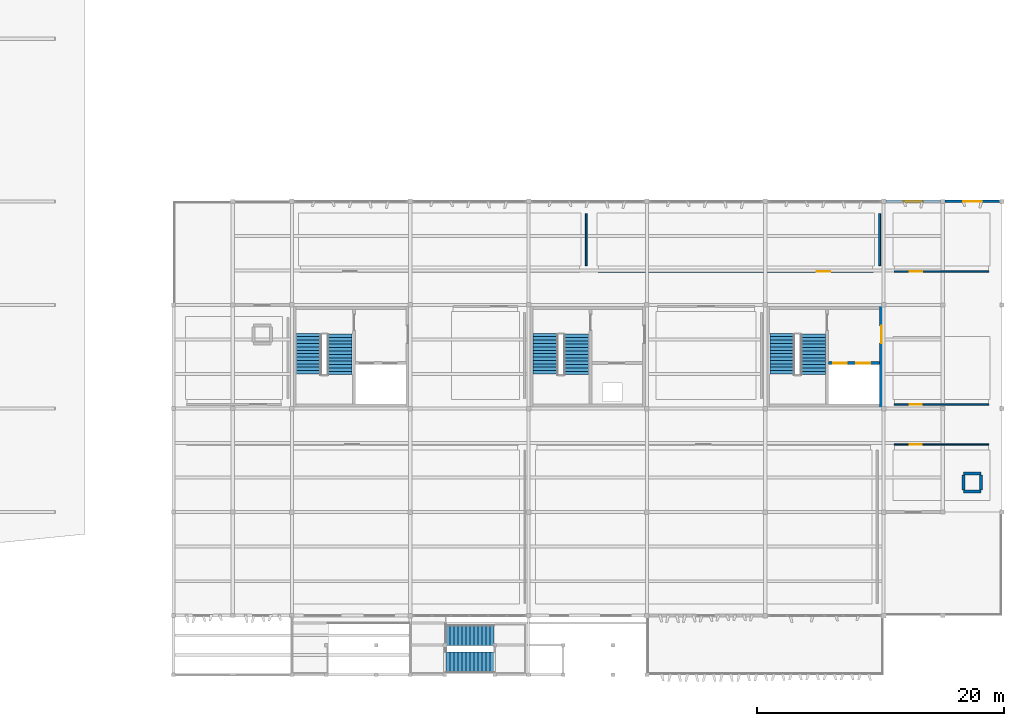
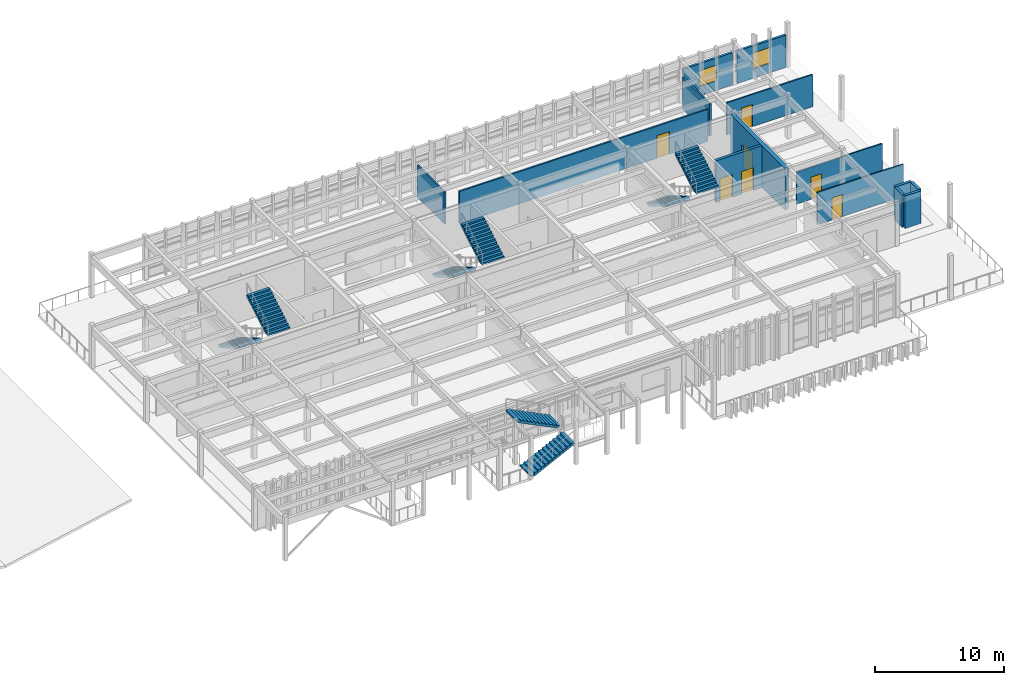
# One storey, part 15 of 18: 14 walls, 8 stair flights, 7 doors, 2 windows, 9 openings, 4 elements without a shape of their own.
"""IFC4 building model written with IfcOpenShell, lengths in metres."""

from ifc_helpers import new_model, si_unit, direction, frame, frame_2d, origin, place, context, subcontext, project, spatial, polyline, rectangle, outline, extrude, material, layer, layer_set, type_object, element, fill, aggregate, save


model = new_model("IFC4")

# Units and contexts
model_context = context("Model", 3, precision=1e-05, world=origin(), true_north=direction((0.0, 1.0)))
body_context = subcontext(model_context, "Body", "Model", "MODEL_VIEW")
ifc_project = project(units=[si_unit("LENGTHUNIT", "METRE"), si_unit("AREAUNIT", "SQUARE_METRE"), si_unit("VOLUMEUNIT", "CUBIC_METRE"), si_unit("PLANEANGLEUNIT", "RADIAN"), si_unit("MASSUNIT", "GRAM", prefix="KILO")], contexts=[model_context])

# Site, building, storey
site_placement = place(None, origin())
site = spatial("IfcSite", under=ifc_project, at=site_placement, CompositionType="ELEMENT")
building_placement = place(site_placement, origin())
building = spatial("IfcBuilding", under=site, at=building_placement, Name="Kolvemor Railside Polytechnic", CompositionType="ELEMENT")
storey_placement = place(building_placement, frame((0.0, 0.0, 18.60009765625)))
storey = spatial("IfcBuildingStorey", under=building, at=storey_placement, Name="L04", CompositionType="ELEMENT", Elevation=18.60009765625)

# Wall, opening, door
ifc_material_1 = material(Name="Concrete C40/50", Category="concrete")
ifc_layer_1 = layer(ifc_material_1, 0.35009765625, Name="WL-CORE-350")
ifc_layer_set_1 = layer_set([ifc_layer_1], Name="Concrete C40/50")
wall_type_1 = type_object("IfcWallType", Name="WL-CORE-350", PredefinedType="SHEAR", material=ifc_layer_set_1)
wall_1_placement = place(storey_placement, frame((115.02490234375, 21.60009765625, 0.0), z_axis=(0.0, 0.0, 1.0), x_axis=(0.0, 1.0, 0.0)))
wall_1 = element("IfcWall", 1, at=wall_1_placement, inside=storey, type_object=wall_type_1, Name="CORE-2 East Core Wall L04", PredefinedType="SHEAR", context=body_context, shape_type="SweptSolid", body=[
    extrude(rectangle(XDim=8.39990234375, YDim=0.35009765625, at=frame_2d((4.199951171875, 0.0))), origin(), (0.0, 0.0, 1.0), 3.969970703125),
])
opening_1_placement = place(wall_1_placement, frame((5.300048828125, 0.0, 0.0)))
opening_1 = element("IfcOpeningElement", 2, at=opening_1_placement, cuts=wall_1, Name="Opening D-LOB-2-L04", PredefinedType="OPENING", context=body_context, shape_type="SweptSolid", body=[
    extrude(rectangle(XDim=1.39990234375, YDim=2.14990234375, at=frame_2d((0.699951171875, 1.074951171875))), frame((0.0, 0.18505859375, 0.0), z_axis=(0.0, -1.0, 0.0), x_axis=(1.0, 0.0, 0.0)), (0.0, 0.0, 1.0), 0.3701171875),
])
ifc_material_2 = material(Name="Fire-rated hardwood and brushed stainless-steel door", Category="steel")
door_type_1 = type_object("IfcDoorType", Name="DR-FD60-140x215", OperationType="NOTDEFINED", PredefinedType="DOOR", material=ifc_material_2)
door_1_placement = place(opening_1_placement, origin())
door_1 = element("IfcDoor", 3, at=door_1_placement, inside=storey, type_object=door_type_1, Name="Core Lobby Fire Door CORE-2 L04", OperationType="SINGLE_SWING_LEFT", OverallHeight=2.14990234375, OverallWidth=1.39990234375, PredefinedType="DOOR", context=body_context, shape_type="SweptSolid", body=[
    extrude(rectangle(XDim=1.39990234375, YDim=2.14990234375, at=frame_2d((0.699951171875, 1.074951171875))), frame((0.0, 0.02490234375, 0.0), z_axis=(0.0, -1.0, 0.0), x_axis=(1.0, 0.0, 0.0)), (0.0, 0.0, 1.0), 0.050048828125),
])
fill(opening_1, door_1)

# Wall, opening, window
ifc_material_3 = material(Name="Cross-laminated timber CLT E1", Category="wood")
ifc_layer_2 = layer(ifc_material_3, 0.2099609375, Name="WL-EXT-TM-210")
ifc_layer_set_2 = layer_set([ifc_layer_2], Name="Cross-laminated timber CLT E1")
wall_type_2 = type_object("IfcWallType", Name="WL-EXT-TM-210", PredefinedType="SOLIDWALL", material=ifc_layer_set_2)
wall_2_placement = place(storey_placement, frame((119.800048828125, 38.39990234375, 0.0), z_axis=(0.0, 0.0, 1.0), x_axis=(-1.0, 0.0, 0.0)))
wall_2 = element("IfcWall", 4, at=wall_2_placement, inside=storey, type_object=wall_type_2, Name="Exterior Wall L04-0157", PredefinedType="SOLIDWALL", context=body_context, shape_type="SweptSolid", body=[
    extrude(rectangle(XDim=4.400146484375, YDim=0.2099609375, at=frame_2d((2.2001953125, 0.0))), origin(), (0.0, 0.0, 1.0), 3.06982421875),
])
opening_2_placement = place(wall_2_placement, frame((1.449951171875, 0.0, 0.89990234375)))
opening_2 = element("IfcOpeningElement", 5, at=opening_2_placement, cuts=wall_2, Name="Opening WN-LAB4", PredefinedType="OPENING", context=body_context, shape_type="SweptSolid", body=[
    extrude(rectangle(XDim=1.5, YDim=1.5, at=frame_2d((0.75, 0.75))), frame((0.0, 0.114990234375, 0.0), z_axis=(0.0, -1.0, 0.0), x_axis=(1.0, 0.0, 0.0)), (0.0, 0.0, 1.0), 0.22998046875),
])
ifc_material_4 = material(Name="Hurricane-laminated thermally broken aluminium window", Category="aluminium")
window_type = type_object("IfcWindowType", Name="WN-LAB-150x150", PartitioningType="SINGLE_PANEL", PredefinedType="WINDOW", material=ifc_material_4)
window_1_placement = place(opening_2_placement, origin())
window_1 = element("IfcWindow", 6, at=window_1_placement, inside=storey, type_object=window_type, Name="Window L04-0169", OverallHeight=1.5, OverallWidth=1.5, PartitioningType="SINGLE_PANEL", PredefinedType="WINDOW", context=body_context, shape_type="SweptSolid", body=[
    extrude(rectangle(XDim=1.5, YDim=1.5, at=frame_2d((0.75, 0.75))), frame((0.0, 0.030029296875, 0.0), z_axis=(0.0, -1.0, 0.0), x_axis=(1.0, 0.0, 0.0)), (0.0, 0.0, 1.0), 0.06005859375),
])
fill(opening_2, window_1)

wall_3_placement = place(storey_placement, frame((124.60009765625, 38.39990234375, 0.0), z_axis=(0.0, 0.0, 1.0), x_axis=(-1.0, 0.0, 0.0)))
wall_3 = element("IfcWall", 7, at=wall_3_placement, inside=storey, type_object=wall_type_2, Name="Exterior Wall L04-0158", PredefinedType="SOLIDWALL", context=body_context, shape_type="SweptSolid", body=[
    extrude(rectangle(XDim=4.400146484375, YDim=0.2099609375, at=frame_2d((2.2001953125, 0.0))), origin(), (0.0, 0.0, 1.0), 3.06982421875),
])
opening_3_placement = place(wall_3_placement, frame((1.449951171875, 0.0, 0.89990234375)))
opening_3 = element("IfcOpeningElement", 8, at=opening_3_placement, cuts=wall_3, Name="Opening WN-LAB4", PredefinedType="OPENING", context=body_context, shape_type="SweptSolid", body=[
    extrude(rectangle(XDim=1.5, YDim=1.5, at=frame_2d((0.75, 0.75))), frame((0.0, 0.114990234375, 0.0), z_axis=(0.0, -1.0, 0.0), x_axis=(1.0, 0.0, 0.0)), (0.0, 0.0, 1.0), 0.22998046875),
])
window_2_placement = place(opening_3_placement, origin())
window_2 = element("IfcWindow", 9, at=window_2_placement, inside=storey, type_object=window_type, Name="Window L04-0170", OverallHeight=1.5, OverallWidth=1.5, PartitioningType="SINGLE_PANEL", PredefinedType="WINDOW", context=body_context, shape_type="SweptSolid", body=[
    extrude(rectangle(XDim=1.5, YDim=1.5, at=frame_2d((0.75, 0.75))), frame((0.0, 0.030029296875, 0.0), z_axis=(0.0, -1.0, 0.0), x_axis=(1.0, 0.0, 0.0)), (0.0, 0.0, 1.0), 0.06005859375),
])
fill(opening_3, window_2)

# Wall, opening, door
ifc_material_5 = material(Name="Wet-area tile-backer partition")
ifc_layer_3 = layer(ifc_material_5, 0.1201171875, Name="WL-PART-120")
ifc_layer_set_3 = layer_set([ifc_layer_3], Name="Wet-area tile-backer partition")
wall_type_3 = type_object("IfcWallType", Name="WL-PART-120", PredefinedType="PARTITIONING", material=ifc_layer_set_3)
wall_4_placement = place(storey_placement, frame((116.050048828125, 18.679931640625, 0.0), z_axis=(0.0, 0.0, 1.0), x_axis=(1.0, 0.0, 0.0)))
wall_4 = element("IfcWall", 10, at=wall_4_placement, inside=storey, type_object=wall_type_3, Name="Partition Wall L04-0201", PredefinedType="PARTITIONING", context=body_context, shape_type="SweptSolid", body=[
    extrude(rectangle(XDim=7.699951171875, YDim=0.1201171875, at=frame_2d((3.85009765625, 0.0))), origin(), (0.0, 0.0, 1.0), 3.0498046875),
])
opening_4_placement = place(wall_4_placement, frame((1.2919921875, 0.0, 0.0)))
opening_4 = element("IfcOpeningElement", 11, at=opening_4_placement, cuts=wall_4, Name="Opening D-04113", PredefinedType="OPENING", context=body_context, shape_type="SweptSolid", body=[
    extrude(rectangle(XDim=0.949951171875, YDim=2.10009765625, at=frame_2d((0.47509765625, 1.050048828125))), frame((0.0, 0.070068359375, 0.0), z_axis=(0.0, -1.0, 0.0), x_axis=(1.0, 0.0, 0.0)), (0.0, 0.0, 1.0), 0.14013671875),
])
ifc_material_6 = material(Name="Solid hardwood acoustic door", Category="wood")
door_type_2 = type_object("IfcDoorType", Name="DR-WC-095x210", OperationType="NOTDEFINED", PredefinedType="DOOR", material=ifc_material_6)
door_2_placement = place(opening_4_placement, origin())
door_2 = element("IfcDoor", 12, at=door_2_placement, inside=storey, type_object=door_type_2, Name="Room Door D-04113 (Main Stack Public WC L04)", OperationType="SINGLE_SWING_RIGHT", OverallHeight=2.10009765625, OverallWidth=0.949951171875, PredefinedType="DOOR", context=body_context, shape_type="SweptSolid", body=[
    extrude(rectangle(XDim=0.949951171875, YDim=2.10009765625, at=frame_2d((0.47509765625, 1.050048828125))), frame((0.0, 0.02490234375, 0.0), z_axis=(0.0, -1.0, 0.0), x_axis=(1.0, 0.0, 0.0)), (0.0, 0.0, 1.0), 0.050048828125),
])
fill(opening_4, door_2)

wall_5_placement = place(storey_placement, frame((116.050048828125, 21.919921875, 0.0), z_axis=(0.0, 0.0, 1.0), x_axis=(1.0, 0.0, 0.0)))
wall_5 = element("IfcWall", 13, at=wall_5_placement, inside=storey, type_object=wall_type_3, Name="Partition Wall L04-0202", PredefinedType="PARTITIONING", context=body_context, shape_type="SweptSolid", body=[
    extrude(rectangle(XDim=7.699951171875, YDim=0.1201171875, at=frame_2d((3.85009765625, 0.0))), origin(), (0.0, 0.0, 1.0), 3.0498046875),
])
opening_5_placement = place(wall_5_placement, frame((1.2919921875, 0.0, 0.0)))
opening_5 = element("IfcOpeningElement", 14, at=opening_5_placement, cuts=wall_5, Name="Opening D-04114", PredefinedType="OPENING", context=body_context, shape_type="SweptSolid", body=[
    extrude(rectangle(XDim=0.949951171875, YDim=2.10009765625, at=frame_2d((0.47509765625, 1.050048828125))), frame((0.0, 0.070068359375, 0.0), z_axis=(0.0, -1.0, 0.0), x_axis=(1.0, 0.0, 0.0)), (0.0, 0.0, 1.0), 0.14013671875),
])
door_3_placement = place(opening_5_placement, origin())
door_3 = element("IfcDoor", 15, at=door_3_placement, inside=storey, type_object=door_type_2, Name="Room Door D-04114 (Main Stack Accessible WC L04)", OperationType="SINGLE_SWING_LEFT", OverallHeight=2.10009765625, OverallWidth=0.949951171875, PredefinedType="DOOR", context=body_context, shape_type="SweptSolid", body=[
    extrude(rectangle(XDim=0.949951171875, YDim=2.10009765625, at=frame_2d((0.47509765625, 1.050048828125))), frame((0.0, 0.02490234375, 0.0), z_axis=(0.0, -1.0, 0.0), x_axis=(1.0, 0.0, 0.0)), (0.0, 0.0, 1.0), 0.050048828125),
])
fill(opening_5, door_3)

ifc_material_7 = material(Name="Departmental partition")
ifc_layer_4 = layer(ifc_material_7, 0.1298828125, Name="WL-PART-130")
ifc_layer_set_4 = layer_set([ifc_layer_4], Name="Departmental partition")
wall_type_4 = type_object("IfcWallType", Name="WL-PART-130", PredefinedType="PARTITIONING", material=ifc_layer_set_4)
wall_6_placement = place(storey_placement, frame((116.050048828125, 32.719970703125, 0.0), z_axis=(0.0, 0.0, 1.0), x_axis=(1.0, 0.0, 0.0)))
wall_6 = element("IfcWall", 16, at=wall_6_placement, inside=storey, type_object=wall_type_4, Name="Partition Wall L04-0203", PredefinedType="PARTITIONING", context=body_context, shape_type="SweptSolid", body=[
    extrude(rectangle(XDim=7.699951171875, YDim=0.1298828125, at=frame_2d((3.85009765625, 0.0))), origin(), (0.0, 0.0, 1.0), 3.0498046875),
])
opening_6_placement = place(wall_6_placement, frame((1.2880859375, 0.0, 0.0)))
opening_6 = element("IfcOpeningElement", 17, at=opening_6_placement, cuts=wall_6, Name="Opening D-04115", PredefinedType="OPENING", context=body_context, shape_type="SweptSolid", body=[
    extrude(rectangle(XDim=0.97998046875, YDim=2.10009765625, at=frame_2d((0.489990234375, 1.050048828125))), frame((0.0, 0.074951171875, 0.0), z_axis=(0.0, -1.0, 0.0), x_axis=(1.0, 0.0, 0.0)), (0.0, 0.0, 1.0), 0.14990234375),
])
ifc_material_8 = material(Name="Solid hardwood acoustic door", Category="wood")
door_type_3 = type_object("IfcDoorType", Name="DR-ADM-098x210", OperationType="NOTDEFINED", PredefinedType="DOOR", material=ifc_material_8)
door_4_placement = place(opening_6_placement, origin())
door_4 = element("IfcDoor", 18, at=door_4_placement, inside=storey, type_object=door_type_3, Name="Room Door D-04115 (Faculty of Electrical and Computing Suite)", OperationType="SINGLE_SWING_RIGHT", OverallHeight=2.10009765625, OverallWidth=0.97998046875, PredefinedType="DOOR", context=body_context, shape_type="SweptSolid", body=[
    extrude(rectangle(XDim=0.97998046875, YDim=2.10009765625, at=frame_2d((0.489990234375, 1.050048828125))), frame((0.0, 0.02490234375, 0.0), z_axis=(0.0, -1.0, 0.0), x_axis=(1.0, 0.0, 0.0)), (0.0, 0.0, 1.0), 0.050048828125),
])
fill(opening_6, door_4)

# Wall
ifc_material_9 = material(Name="Seminar acoustic partition")
ifc_layer_5 = layer(ifc_material_9, 0.139892578125, Name="WL-PART-140")
ifc_layer_set_5 = layer_set([ifc_layer_5], Name="Seminar acoustic partition")
wall_type_5 = type_object("IfcWallType", Name="WL-PART-140", PredefinedType="PARTITIONING", material=ifc_layer_set_5)
wall_7_placement = place(storey_placement, frame((91.080078125, 33.199951171875, 0.0), z_axis=(0.0, 0.0, 1.0), x_axis=(0.0, 1.0, 0.0)))
element("IfcWall", 19, at=wall_7_placement, inside=storey, type_object=wall_type_5, Name="Demising Partition L04-0205", PredefinedType="PARTITIONING", context=body_context, shape_type="SweptSolid", body=[
    extrude(rectangle(XDim=4.199951171875, YDim=0.139892578125, at=frame_2d((2.10009765625, 0.0))), origin(), (0.0, 0.0, 1.0), 3.0498046875),
])

# Wall, opening, door
ifc_material_10 = material(Name="Acoustic studio partition")
ifc_layer_6 = layer(ifc_material_10, 0.14990234375, Name="WL-PART-150")
ifc_layer_set_6 = layer_set([ifc_layer_6], Name="Acoustic studio partition")
wall_type_6 = type_object("IfcWallType", Name="WL-PART-150", PredefinedType="PARTITIONING", material=ifc_layer_set_6)
wall_8_placement = place(storey_placement, frame((92.050048828125, 32.719970703125, 0.0), z_axis=(0.0, 0.0, 1.0), x_axis=(1.0, 0.0, 0.0)))
wall_8 = element("IfcWall", 20, at=wall_8_placement, inside=storey, type_object=wall_type_6, Name="Partition Wall L04-0206", PredefinedType="PARTITIONING", context=body_context, shape_type="SweptSolid", body=[
    extrude(rectangle(XDim=22.300048828125, YDim=0.14990234375, at=frame_2d((11.14990234375, 0.0))), origin(), (0.0, 0.0, 1.0), 3.0498046875),
])
opening_7_placement = place(wall_8_placement, frame((17.722900390625, 0.0, 0.0)))
opening_7 = element("IfcOpeningElement", 21, at=opening_7_placement, cuts=wall_8, Name="Opening D-04117", PredefinedType="OPENING", context=body_context, shape_type="SweptSolid", body=[
    extrude(rectangle(XDim=1.1201171875, YDim=2.14990234375, at=frame_2d((0.56005859375, 1.074951171875))), frame((0.0, 0.0849609375, 0.0), z_axis=(0.0, -1.0, 0.0), x_axis=(1.0, 0.0, 0.0)), (0.0, 0.0, 1.0), 0.169921875),
])
ifc_material_11 = material(Name="Solid hardwood acoustic door", Category="wood")
door_type_4 = type_object("IfcDoorType", Name="DR-STU-112x215", OperationType="NOTDEFINED", PredefinedType="DOOR", material=ifc_material_11)
door_5_placement = place(opening_7_placement, origin())
door_5 = element("IfcDoor", 22, at=door_5_placement, inside=storey, type_object=door_type_4, Name="Room Door D-04117 (Capstone Interdisciplinary Design Studio)", OperationType="SINGLE_SWING_RIGHT", OverallHeight=2.14990234375, OverallWidth=1.1201171875, PredefinedType="DOOR", context=body_context, shape_type="SweptSolid", body=[
    extrude(rectangle(XDim=1.1201171875, YDim=2.14990234375, at=frame_2d((0.56005859375, 1.074951171875))), frame((0.0, 0.02490234375, 0.0), z_axis=(0.0, -1.0, 0.0), x_axis=(1.0, 0.0, 0.0)), (0.0, 0.0, 1.0), 0.050048828125),
])
fill(opening_7, door_5)

# Wall
wall_9_placement = place(storey_placement, frame((114.8798828125, 33.199951171875, 0.0), z_axis=(0.0, 0.0, 1.0), x_axis=(0.0, 1.0, 0.0)))
element("IfcWall", 23, at=wall_9_placement, inside=storey, type_object=wall_type_6, Name="Demising Partition L04-0207", PredefinedType="PARTITIONING", context=body_context, shape_type="SweptSolid", body=[
    extrude(rectangle(XDim=4.199951171875, YDim=0.14990234375, at=frame_2d((2.10009765625, 0.0))), origin(), (0.0, 0.0, 1.0), 3.0498046875),
])

# Wall, openings, doors
ifc_material_12 = material(Name="Concrete C40/50", Category="concrete")
ifc_layer_7 = layer(ifc_material_12, 0.25, Name="WL-SHFT-250")
ifc_layer_set_7 = layer_set([ifc_layer_7], Name="Concrete C40/50")
wall_type_7 = type_object("IfcWallType", Name="WL-SHFT-250", PredefinedType="SHEAR", material=ifc_layer_set_7)
wall_10_placement = place(storey_placement, frame((110.75, 25.27490234375, 0.0), z_axis=(0.0, 0.0, 1.0), x_axis=(1.0, 0.0, 0.0)))
wall_10 = element("IfcWall", 24, at=wall_10_placement, inside=storey, type_object=wall_type_7, Name="CORE-2 Lift Shaft Front Wall L04", PredefinedType="SHEAR", context=body_context, shape_type="SweptSolid", body=[
    extrude(rectangle(XDim=4.10009765625, YDim=0.25, at=frame_2d((2.050048828125, 0.0))), origin(), (0.0, 0.0, 1.0), 3.969970703125),
])
opening_8_placement = place(wall_10_placement, frame((0.35009765625, 0.0, 0.0)))
opening_8 = element("IfcOpeningElement", 25, at=opening_8_placement, cuts=wall_10, Name="Opening LD-FL-2-L04", PredefinedType="OPENING", context=body_context, shape_type="SweptSolid", body=[
    extrude(rectangle(XDim=1.10009765625, YDim=2.14990234375, at=frame_2d((0.550048828125, 1.074951171875))), frame((0.0, 0.135009765625, 0.0), z_axis=(0.0, -1.0, 0.0), x_axis=(1.0, 0.0, 0.0)), (0.0, 0.0, 1.0), 0.27001953125),
])
opening_9_placement = place(wall_10_placement, frame((2.25, 0.0, 0.0)))
opening_9 = element("IfcOpeningElement", 26, at=opening_9_placement, cuts=wall_10, Name="Opening LD-PL-2-L04", PredefinedType="OPENING", context=body_context, shape_type="SweptSolid", body=[
    extrude(rectangle(XDim=1.10009765625, YDim=2.14990234375, at=frame_2d((0.550048828125, 1.074951171875))), frame((0.0, 0.135009765625, 0.0), z_axis=(0.0, -1.0, 0.0), x_axis=(1.0, 0.0, 0.0)), (0.0, 0.0, 1.0), 0.27001953125),
])
ifc_material_13 = material(Name="Fire-rated hardwood and brushed stainless-steel door", Category="steel")
door_type_5 = type_object("IfcDoorType", Name="DR-LIFT-110x215", OperationType="SLIDING_TO_LEFT", PredefinedType="DOOR", material=ifc_material_13)
door_6_placement = place(opening_8_placement, origin())
door_6 = element("IfcDoor", 27, at=door_6_placement, inside=storey, type_object=door_type_5, Name="Lift Landing Sliding Door FL-2 L04", OperationType="SLIDING_TO_LEFT", OverallHeight=2.14990234375, OverallWidth=1.10009765625, PredefinedType="DOOR", context=body_context, shape_type="SweptSolid", body=[
    extrude(rectangle(XDim=1.10009765625, YDim=2.14990234375, at=frame_2d((0.550048828125, 1.074951171875))), frame((0.0, 0.02490234375, 0.0), z_axis=(0.0, -1.0, 0.0), x_axis=(1.0, 0.0, 0.0)), (0.0, 0.0, 1.0), 0.050048828125),
])
fill(opening_8, door_6)
door_7_placement = place(opening_9_placement, origin())
door_7 = element("IfcDoor", 28, at=door_7_placement, inside=storey, type_object=door_type_5, Name="Lift Landing Sliding Door PL-2 L04", OperationType="SLIDING_TO_LEFT", OverallHeight=2.14990234375, OverallWidth=1.10009765625, PredefinedType="DOOR", context=body_context, shape_type="SweptSolid", body=[
    extrude(rectangle(XDim=1.10009765625, YDim=2.14990234375, at=frame_2d((0.550048828125, 1.074951171875))), frame((0.0, 0.02490234375, 0.0), z_axis=(0.0, -1.0, 0.0), x_axis=(1.0, 0.0, 0.0)), (0.0, 0.0, 1.0), 0.050048828125),
])
fill(opening_9, door_7)

# Walls
ifc_material_14 = material(Name="Concrete C40/50", Category="concrete")
ifc_layer_8 = layer(ifc_material_14, 0.25, Name="WL-TIER-RC")
ifc_layer_set_8 = layer_set([ifc_layer_8], Name="Concrete C40/50")
wall_type_8 = type_object("IfcWallType", Name="WL-TIER-RC", PredefinedType="SHEAR", material=ifc_layer_set_8)
for number, where, z_axis, x_axis, name in (
    (29, (121.679931640625, 14.8798828125, 0.0), (0.0, 0.0, 1.0), (1.0, 0.0, 0.0), "MEP Riser Enclosure Wall L04-82S"),
    (30, (121.679931640625, 16.320068359375, 0.0), (0.0, 0.0, 1.0), (1.0, 0.0, 0.0), "MEP Riser Enclosure Wall L04-82N"),
):
    element("IfcWall", number, at=place(storey_placement, frame(where, z_axis=z_axis, x_axis=x_axis)), inside=storey, type_object=wall_type_8, Name=name, PredefinedType="SHEAR", context=body_context, shape_type="SweptSolid", body=[
        extrude(rectangle(XDim=1.440185546875, YDim=0.25, at=frame_2d((0.72021484375, 0.0))), origin(), (0.0, 0.0, 1.0), 3.099853515625),
    ])
for number, where, z_axis, x_axis, name in (
    (31, (121.679931640625, 15.0, 0.0), (0.0, 0.0, 1.0), (0.0, 1.0, 0.0), "MEP Riser Enclosure Wall L04-82W"),
    (32, (123.1201171875, 15.0, 0.0), (0.0, 0.0, 1.0), (0.0, 1.0, 0.0), "MEP Riser Enclosure Wall L04-82E"),
):
    element("IfcWall", number, at=place(storey_placement, frame(where, z_axis=z_axis, x_axis=x_axis)), inside=storey, type_object=wall_type_8, Name=name, PredefinedType="SHEAR", context=body_context, shape_type="SweptSolid", body=[
        extrude(rectangle(XDim=1.199951171875, YDim=0.25, at=frame_2d((0.60009765625, 0.0))), origin(), (0.0, 0.0, 1.0), 3.099853515625),
    ])

# Stair, stair flights
ifc_material_15 = material(Name="Concrete C40/50", Category="concrete")
stair_type_1 = type_object("IfcStairType", Name="STR-CORE-420", PredefinedType="HALF_TURN_STAIR", material=ifc_material_15)
stair_1_placement = place(storey_placement, origin())
stair_1 = element("IfcStair", 33, at=stair_1_placement, inside=storey, type_object=stair_type_1, Name="Core Stair ST-1 (L04 to L05)", PredefinedType="HALF_TURN_STAIR")
ifc_material_16 = material(Name="Concrete C40/50", Category="concrete")
stair_flight_type_1 = type_object("IfcStairFlightType", Name="SFL-RC-200", PredefinedType="STRAIGHT", material=ifc_material_16)
stair_flight_1_placement = place(storey_placement, frame((68.580078125, 27.699951171875, 0.0), z_axis=(0.0, 0.0, 1.0), x_axis=(0.0, -1.0, 0.0)))
stair_flight_1 = element("IfcStairFlight", 34, at=stair_flight_1_placement, type_object=stair_flight_type_1, Name="ST-1-L04 flight 1", NumberOfRisers=13, NumberOfTreads=12, PredefinedType="STRAIGHT", RiserHeight=0.161538462, TreadLength=0.275, context=body_context, shape_type="SweptSolid", body=[
    extrude(outline(polyline([(0.0, 0.0), (0.0, 0.16162109375), (0.27490234375, 0.16162109375), (0.27490234375, 0.322998046875), (0.550048828125, 0.322998046875), (0.550048828125, 0.484619140625), (0.824951171875, 0.484619140625), (0.824951171875, 0.646240234375), (1.10009765625, 0.646240234375), (1.10009765625, 0.8076171875), (1.375, 0.8076171875), (1.375, 0.96923828125), (1.64990234375, 0.96923828125), (1.64990234375, 1.130859375), (1.925048828125, 1.130859375), (1.925048828125, 1.292236328125), (2.199951171875, 1.292236328125), (2.199951171875, 1.453857421875), (2.47509765625, 1.453857421875), (2.47509765625, 1.615478515625), (2.75, 1.615478515625), (2.75, 1.77685546875), (3.02490234375, 1.77685546875), (3.02490234375, 1.9384765625), (3.300048828125, 1.9384765625), (3.300048828125, 2.10009765625), (3.300048828125, 1.729736328125), (0.355224609375, 0.0), (0.0, 0.0)])), frame((0.0, 1.0, 0.0), z_axis=(0.0, -1.0, 0.0), x_axis=(1.0, 0.0, 0.0)), (0.0, 0.0, 1.0), 2.0),
])
stair_flight_2_placement = place(storey_placement, frame((71.080078125, 24.340087890625, 2.099853515625), z_axis=(0.0, 0.0, 1.0), x_axis=(0.0, 1.0, 0.0)))
stair_flight_2 = element("IfcStairFlight", 35, at=stair_flight_2_placement, type_object=stair_flight_type_1, Name="ST-1-L04 flight 2", NumberOfRisers=13, NumberOfTreads=12, PredefinedType="STRAIGHT", RiserHeight=0.161538462, TreadLength=0.275, context=body_context, shape_type="SweptSolid", body=[
    extrude(outline(polyline([(0.0, 0.0), (0.0, 0.16162109375), (0.27490234375, 0.16162109375), (0.27490234375, 0.322998046875), (0.550048828125, 0.322998046875), (0.550048828125, 0.484619140625), (0.824951171875, 0.484619140625), (0.824951171875, 0.646240234375), (1.10009765625, 0.646240234375), (1.10009765625, 0.8076171875), (1.375, 0.8076171875), (1.375, 0.96923828125), (1.64990234375, 0.96923828125), (1.64990234375, 1.130859375), (1.925048828125, 1.130859375), (1.925048828125, 1.292236328125), (2.199951171875, 1.292236328125), (2.199951171875, 1.453857421875), (2.47509765625, 1.453857421875), (2.47509765625, 1.615478515625), (2.75, 1.615478515625), (2.75, 1.77685546875), (3.02490234375, 1.77685546875), (3.02490234375, 1.9384765625), (3.300048828125, 1.9384765625), (3.300048828125, 2.10009765625), (3.300048828125, 1.729736328125), (0.355224609375, 0.0), (0.0, 0.0)])), frame((0.0, 1.0, 0.0), z_axis=(0.0, -1.0, 0.0), x_axis=(1.0, 0.0, 0.0)), (0.0, 0.0, 1.0), 2.0),
])
aggregate(stair_1, [stair_flight_1, stair_flight_2])

stair_2_placement = place(storey_placement, origin())
stair_2 = element("IfcStair", 36, at=stair_2_placement, inside=storey, type_object=stair_type_1, Name="Core Stair ST-2 (L04 to L05)", PredefinedType="HALF_TURN_STAIR")
stair_flight_3_placement = place(storey_placement, frame((106.97998046875, 27.699951171875, 0.0), z_axis=(0.0, 0.0, 1.0), x_axis=(0.0, -1.0, 0.0)))
stair_flight_3 = element("IfcStairFlight", 37, at=stair_flight_3_placement, type_object=stair_flight_type_1, Name="ST-2-L04 flight 1", NumberOfRisers=13, NumberOfTreads=12, PredefinedType="STRAIGHT", RiserHeight=0.161538462, TreadLength=0.275, context=body_context, shape_type="SweptSolid", body=[
    extrude(outline(polyline([(0.0, 0.0), (0.0, 0.16162109375), (0.27490234375, 0.16162109375), (0.27490234375, 0.322998046875), (0.550048828125, 0.322998046875), (0.550048828125, 0.484619140625), (0.824951171875, 0.484619140625), (0.824951171875, 0.646240234375), (1.10009765625, 0.646240234375), (1.10009765625, 0.8076171875), (1.375, 0.8076171875), (1.375, 0.96923828125), (1.64990234375, 0.96923828125), (1.64990234375, 1.130859375), (1.925048828125, 1.130859375), (1.925048828125, 1.292236328125), (2.199951171875, 1.292236328125), (2.199951171875, 1.453857421875), (2.47509765625, 1.453857421875), (2.47509765625, 1.615478515625), (2.75, 1.615478515625), (2.75, 1.77685546875), (3.02490234375, 1.77685546875), (3.02490234375, 1.9384765625), (3.300048828125, 1.9384765625), (3.300048828125, 2.10009765625), (3.300048828125, 1.729736328125), (0.355224609375, 0.0), (0.0, 0.0)])), frame((0.0, 1.0, 0.0), z_axis=(0.0, -1.0, 0.0), x_axis=(1.0, 0.0, 0.0)), (0.0, 0.0, 1.0), 2.0),
])
stair_flight_4_placement = place(storey_placement, frame((109.47998046875, 24.340087890625, 2.099853515625), z_axis=(0.0, 0.0, 1.0), x_axis=(0.0, 1.0, 0.0)))
stair_flight_4 = element("IfcStairFlight", 38, at=stair_flight_4_placement, type_object=stair_flight_type_1, Name="ST-2-L04 flight 2", NumberOfRisers=13, NumberOfTreads=12, PredefinedType="STRAIGHT", RiserHeight=0.161538462, TreadLength=0.275, context=body_context, shape_type="SweptSolid", body=[
    extrude(outline(polyline([(0.0, 0.0), (0.0, 0.16162109375), (0.27490234375, 0.16162109375), (0.27490234375, 0.322998046875), (0.550048828125, 0.322998046875), (0.550048828125, 0.484619140625), (0.824951171875, 0.484619140625), (0.824951171875, 0.646240234375), (1.10009765625, 0.646240234375), (1.10009765625, 0.8076171875), (1.375, 0.8076171875), (1.375, 0.96923828125), (1.64990234375, 0.96923828125), (1.64990234375, 1.130859375), (1.925048828125, 1.130859375), (1.925048828125, 1.292236328125), (2.199951171875, 1.292236328125), (2.199951171875, 1.453857421875), (2.47509765625, 1.453857421875), (2.47509765625, 1.615478515625), (2.75, 1.615478515625), (2.75, 1.77685546875), (3.02490234375, 1.77685546875), (3.02490234375, 1.9384765625), (3.300048828125, 1.9384765625), (3.300048828125, 2.10009765625), (3.300048828125, 1.729736328125), (0.355224609375, 0.0), (0.0, 0.0)])), frame((0.0, 1.0, 0.0), z_axis=(0.0, -1.0, 0.0), x_axis=(1.0, 0.0, 0.0)), (0.0, 0.0, 1.0), 2.0),
])
aggregate(stair_2, [stair_flight_3, stair_flight_4])

stair_3_placement = place(storey_placement, origin())
stair_3 = element("IfcStair", 39, at=stair_3_placement, inside=storey, type_object=stair_type_1, Name="Core Stair ST-3 (L04 to L05)", PredefinedType="HALF_TURN_STAIR")
stair_flight_5_placement = place(storey_placement, frame((87.780029296875, 27.699951171875, 0.0), z_axis=(0.0, 0.0, 1.0), x_axis=(0.0, -1.0, 0.0)))
stair_flight_5 = element("IfcStairFlight", 40, at=stair_flight_5_placement, type_object=stair_flight_type_1, Name="ST-3-L04 flight 1", NumberOfRisers=13, NumberOfTreads=12, PredefinedType="STRAIGHT", RiserHeight=0.161538462, TreadLength=0.275, context=body_context, shape_type="SweptSolid", body=[
    extrude(outline(polyline([(0.0, 0.0), (0.0, 0.16162109375), (0.27490234375, 0.16162109375), (0.27490234375, 0.322998046875), (0.550048828125, 0.322998046875), (0.550048828125, 0.484619140625), (0.824951171875, 0.484619140625), (0.824951171875, 0.646240234375), (1.10009765625, 0.646240234375), (1.10009765625, 0.8076171875), (1.375, 0.8076171875), (1.375, 0.96923828125), (1.64990234375, 0.96923828125), (1.64990234375, 1.130859375), (1.925048828125, 1.130859375), (1.925048828125, 1.292236328125), (2.199951171875, 1.292236328125), (2.199951171875, 1.453857421875), (2.47509765625, 1.453857421875), (2.47509765625, 1.615478515625), (2.75, 1.615478515625), (2.75, 1.77685546875), (3.02490234375, 1.77685546875), (3.02490234375, 1.9384765625), (3.300048828125, 1.9384765625), (3.300048828125, 2.10009765625), (3.300048828125, 1.729736328125), (0.355224609375, 0.0), (0.0, 0.0)])), frame((0.0, 1.0, 0.0), z_axis=(0.0, -1.0, 0.0), x_axis=(1.0, 0.0, 0.0)), (0.0, 0.0, 1.0), 2.0),
])
stair_flight_6_placement = place(storey_placement, frame((90.280029296875, 24.340087890625, 2.099853515625), z_axis=(0.0, 0.0, 1.0), x_axis=(0.0, 1.0, 0.0)))
stair_flight_6 = element("IfcStairFlight", 41, at=stair_flight_6_placement, type_object=stair_flight_type_1, Name="ST-3-L04 flight 2", NumberOfRisers=13, NumberOfTreads=12, PredefinedType="STRAIGHT", RiserHeight=0.161538462, TreadLength=0.275, context=body_context, shape_type="SweptSolid", body=[
    extrude(outline(polyline([(0.0, 0.0), (0.0, 0.16162109375), (0.27490234375, 0.16162109375), (0.27490234375, 0.322998046875), (0.550048828125, 0.322998046875), (0.550048828125, 0.484619140625), (0.824951171875, 0.484619140625), (0.824951171875, 0.646240234375), (1.10009765625, 0.646240234375), (1.10009765625, 0.8076171875), (1.375, 0.8076171875), (1.375, 0.96923828125), (1.64990234375, 0.96923828125), (1.64990234375, 1.130859375), (1.925048828125, 1.130859375), (1.925048828125, 1.292236328125), (2.199951171875, 1.292236328125), (2.199951171875, 1.453857421875), (2.47509765625, 1.453857421875), (2.47509765625, 1.615478515625), (2.75, 1.615478515625), (2.75, 1.77685546875), (3.02490234375, 1.77685546875), (3.02490234375, 1.9384765625), (3.300048828125, 1.9384765625), (3.300048828125, 2.10009765625), (3.300048828125, 1.729736328125), (0.355224609375, 0.0), (0.0, 0.0)])), frame((0.0, 1.0, 0.0), z_axis=(0.0, -1.0, 0.0), x_axis=(1.0, 0.0, 0.0)), (0.0, 0.0, 1.0), 2.0),
])
aggregate(stair_3, [stair_flight_5, stair_flight_6])

ifc_material_17 = material(Name="Steel S355", Category="steel")
stair_type_2 = type_object("IfcStairType", Name="STR-EXT-ZIG", PredefinedType="HALF_TURN_STAIR", material=ifc_material_17)
stair_4_placement = place(storey_placement, origin())
stair_4 = element("IfcStair", 42, at=stair_4_placement, inside=storey, type_object=stair_type_2, Name="External Zigzag Terrace Stair (L04 to L05)", PredefinedType="HALF_TURN_STAIR")
ifc_material_18 = material(Name="Steel S355", Category="steel")
stair_flight_type_2 = type_object("IfcStairFlightType", Name="SFL-ST-168", PredefinedType="STRAIGHT", material=ifc_material_18)
stair_flight_7_placement = place(storey_placement, frame((79.699951171875, 1.0, 0.0), z_axis=(0.0, 0.0, 1.0), x_axis=(1.0, 0.0, 0.0)))
stair_flight_7 = element("IfcStairFlight", 43, at=stair_flight_7_placement, type_object=stair_flight_type_2, Name="ST-EXT-L04 flight 1", NumberOfRisers=13, NumberOfTreads=12, PredefinedType="STRAIGHT", RiserHeight=0.161538462, TreadLength=0.325, context=body_context, shape_type="SweptSolid", body=[
    extrude(outline(polyline([(0.0, 0.0), (0.0, 0.16162109375), (0.324951171875, 0.16162109375), (0.324951171875, 0.322998046875), (0.64990234375, 0.322998046875), (0.64990234375, 0.484619140625), (0.97509765625, 0.484619140625), (0.97509765625, 0.646240234375), (1.300048828125, 0.646240234375), (1.300048828125, 0.8076171875), (1.625, 0.8076171875), (1.625, 0.96923828125), (1.949951171875, 0.96923828125), (1.949951171875, 1.130859375), (2.27490234375, 1.130859375), (2.27490234375, 1.292236328125), (2.60009765625, 1.292236328125), (2.60009765625, 1.453857421875), (2.925048828125, 1.453857421875), (2.925048828125, 1.615478515625), (3.25, 1.615478515625), (3.25, 1.77685546875), (3.574951171875, 1.77685546875), (3.574951171875, 1.9384765625), (3.89990234375, 1.9384765625), (3.89990234375, 2.10009765625), (3.89990234375, 1.748779296875), (0.3818359375, 0.0), (0.0, 0.0)])), frame((0.0, 0.83984375, 0.0), z_axis=(0.0, -1.0, 0.0), x_axis=(1.0, 0.0, 0.0)), (0.0, 0.0, 1.0), 1.679931640625),
])
stair_flight_8_placement = place(storey_placement, frame((83.60009765625, 3.199951171875, 2.099853515625), z_axis=(0.0, 0.0, 1.0), x_axis=(-1.0, 0.0, 0.0)))
stair_flight_8 = element("IfcStairFlight", 44, at=stair_flight_8_placement, type_object=stair_flight_type_2, Name="ST-EXT-L04 flight 2", NumberOfRisers=13, NumberOfTreads=12, PredefinedType="STRAIGHT", RiserHeight=0.161538462, TreadLength=0.325, context=body_context, shape_type="SweptSolid", body=[
    extrude(outline(polyline([(0.0, 0.0), (0.0, 0.16162109375), (0.324951171875, 0.16162109375), (0.324951171875, 0.322998046875), (0.64990234375, 0.322998046875), (0.64990234375, 0.484619140625), (0.97509765625, 0.484619140625), (0.97509765625, 0.646240234375), (1.300048828125, 0.646240234375), (1.300048828125, 0.8076171875), (1.625, 0.8076171875), (1.625, 0.96923828125), (1.949951171875, 0.96923828125), (1.949951171875, 1.130859375), (2.27490234375, 1.130859375), (2.27490234375, 1.292236328125), (2.60009765625, 1.292236328125), (2.60009765625, 1.453857421875), (2.925048828125, 1.453857421875), (2.925048828125, 1.615478515625), (3.25, 1.615478515625), (3.25, 1.77685546875), (3.574951171875, 1.77685546875), (3.574951171875, 1.9384765625), (3.89990234375, 1.9384765625), (3.89990234375, 2.10009765625), (3.89990234375, 1.748779296875), (0.3818359375, 0.0), (0.0, 0.0)])), frame((0.0, 0.83984375, 0.0), z_axis=(0.0, -1.0, 0.0), x_axis=(1.0, 0.0, 0.0)), (0.0, 0.0, 1.0), 1.679931640625),
])
aggregate(stair_4, [stair_flight_7, stair_flight_8])

save(model, "model.ifc")
